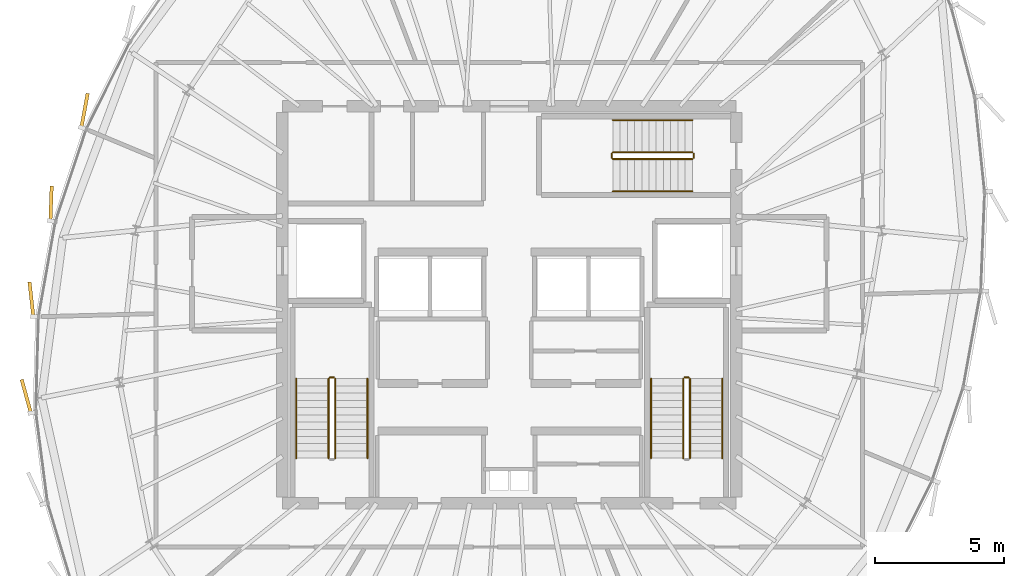
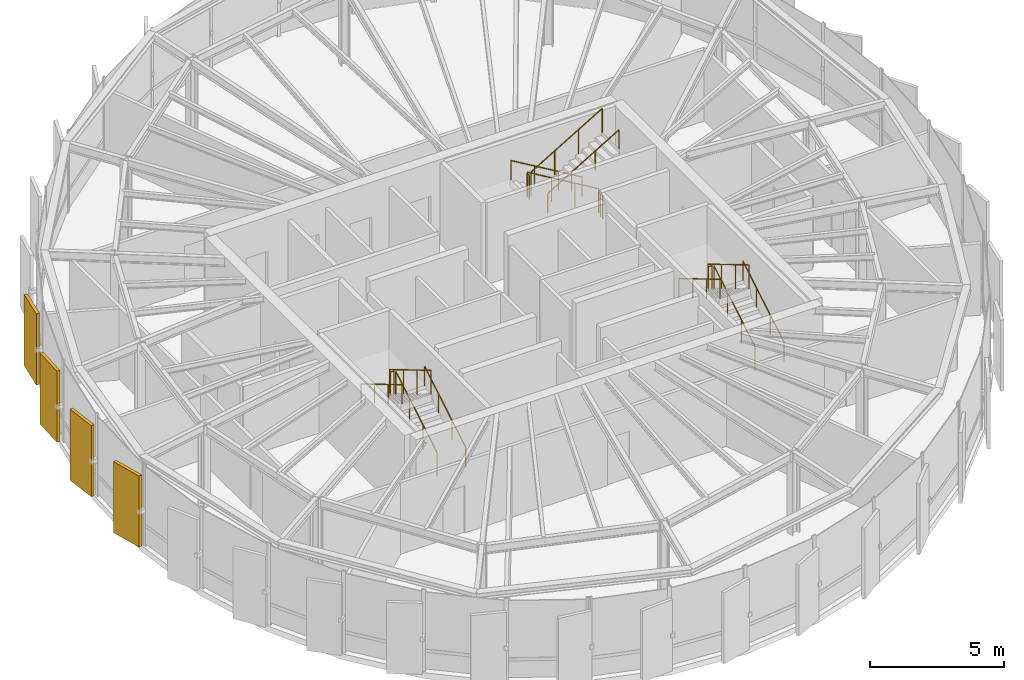
# One storey, part 24 of 25: 16 railings, 4 coverings.
"""IFC4 building model written with IfcOpenShell, lengths in metres."""

from ifc_helpers import new_model, si_unit, direction, frame, origin, origin_2d, place, context, subcontext, project, spatial, rectangle, circle, extrude, source, transform, mapped, material, layer, layer_set, type_object, element, save


model = new_model("IFC4")

# Units and contexts
model_context = context("Model", 3, precision=1e-05, world=origin(), true_north=direction((0.0, 1.0)))
body_context = subcontext(model_context, "Body", "Model", "MODEL_VIEW")
ifc_project = project(units=[si_unit("LENGTHUNIT", "METRE"), si_unit("AREAUNIT", "SQUARE_METRE"), si_unit("VOLUMEUNIT", "CUBIC_METRE"), si_unit("PLANEANGLEUNIT", "RADIAN"), si_unit("MASSUNIT", "GRAM", prefix="KILO"), si_unit("THERMODYNAMICTEMPERATUREUNIT", "KELVIN")], contexts=[model_context])

# Site, building, storey
site_placement = place(None, origin())
site = spatial("IfcSite", under=ifc_project, at=site_placement, CompositionType="ELEMENT")
building_placement = place(site_placement, origin())
building = spatial("IfcBuilding", under=site, at=building_placement, Name="Kethvar Cultural Tower", CompositionType="ELEMENT")
storey_placement = place(building_placement, frame((0.0, 0.0, 304.300048828125)))
storey = spatial("IfcBuildingStorey", under=building, at=storey_placement, Name="L81", CompositionType="ELEMENT", Elevation=304.300048828125)

# Railings
ifc_material_1 = material(Name="Steel S355J2", Category="steel")
railing_type_1 = type_object("IfcRailingType", Name="RL-STAIR-GUARD", PredefinedType="BALUSTRADE", material=ifc_material_1)
railing_1_placement = place(storey_placement, frame((40.050048828125, 21.85009765625, 0.16650390625)))
element("IfcRailing", 1, at=railing_1_placement, inside=storey, type_object=railing_type_1, Name="L81 ST-01 stair guard 1", PredefinedType="BALUSTRADE", context=body_context, shape_type="SweptSolid", body=[
    extrude(circle(Radius=0.02392578125, at=origin_2d()), frame((0.0, 0.0, 1.09619140625), z_axis=(0.0, 0.859260807169, 0.511537745687), x_axis=(-1.0, 0.0, 0.0)), (0.0, 0.0, 1.0), 3.584228515625),
    extrude(circle(Radius=0.02099609375, at=origin_2d()), origin(), (0.0, 0.0, 1.0), 1.072021484375),
    extrude(circle(Radius=0.02099609375, at=origin_2d()), frame((0.0, 1.026611328125, 0.611083984375)), (0.0, 0.0, 1.0), 1.072021484375),
    extrude(circle(Radius=0.02099609375, at=origin_2d()), frame((0.0, 2.05322265625, 1.222412109375)), (0.0, 0.0, 1.0), 1.072021484375),
    extrude(circle(Radius=0.02099609375, at=origin_2d()), frame((0.0, 3.079833984375, 1.83349609375)), (0.0, 0.0, 1.0), 1.072021484375),
])
railing_2_placement = place(storey_placement, frame((40.0, 24.97998046875, 2.0)))
element("IfcRailing", 2, at=railing_2_placement, inside=storey, type_object=railing_type_1, Name="L81 ST-01 stair guard 2", PredefinedType="BALUSTRADE", context=body_context, shape_type="SweptSolid", body=[
    extrude(circle(Radius=0.02392578125, at=origin_2d()), frame((0.0, 0.0, 1.09619140625), z_axis=(-1.0, 0.0, 0.0), x_axis=(0.0, -1.0, 0.0)), (0.0, 0.0, 1.0), 0.159912109375),
    extrude(circle(Radius=0.02099609375, at=origin_2d()), origin(), (0.0, 0.0, 1.0), 1.072021484375),
    extrude(circle(Radius=0.02099609375, at=origin_2d()), frame((-0.159912109375, 0.0, 0.0)), (0.0, 0.0, 1.0), 1.072021484375),
])
railing_3_placement = place(storey_placement, frame((39.7900390625, 24.929931640625, 2.16650390625)))
element("IfcRailing", 3, at=railing_3_placement, inside=storey, type_object=railing_type_1, Name="L81 ST-01 stair guard 3", PredefinedType="BALUSTRADE", context=body_context, shape_type="SweptSolid", body=[
    extrude(circle(Radius=0.02392578125, at=origin_2d()), frame((0.0, 0.0, 1.09619140625), z_axis=(0.0, -0.859260807169, 0.511537745687), x_axis=(1.0, 0.0, 0.0)), (0.0, 0.0, 1.0), 3.584228515625),
    extrude(circle(Radius=0.02099609375, at=origin_2d()), origin(), (0.0, 0.0, 1.0), 1.072021484375),
    extrude(circle(Radius=0.02099609375, at=origin_2d()), frame((0.0, -1.026611328125, 0.611083984375)), (0.0, 0.0, 1.0), 1.072021484375),
    extrude(circle(Radius=0.02099609375, at=origin_2d()), frame((0.0, -2.05322265625, 1.222412109375)), (0.0, 0.0, 1.0), 1.072021484375),
    extrude(circle(Radius=0.02099609375, at=origin_2d()), frame((0.0, -3.079833984375, 1.83349609375)), (0.0, 0.0, 1.0), 1.072021484375),
])
railing_4_placement = place(storey_placement, frame((53.81005859375, 21.85009765625, 0.16650390625)))
element("IfcRailing", 4, at=railing_4_placement, inside=storey, type_object=railing_type_1, Name="L81 ST-02 stair guard 1", PredefinedType="BALUSTRADE", context=body_context, shape_type="SweptSolid", body=[
    extrude(circle(Radius=0.02392578125, at=origin_2d()), frame((0.0, 0.0, 1.09619140625), z_axis=(0.0, 0.859260807169, 0.511537745687), x_axis=(-1.0, 0.0, 0.0)), (0.0, 0.0, 1.0), 3.584228515625),
    extrude(circle(Radius=0.02099609375, at=origin_2d()), origin(), (0.0, 0.0, 1.0), 1.072021484375),
    extrude(circle(Radius=0.02099609375, at=origin_2d()), frame((0.0, 1.026611328125, 0.611083984375)), (0.0, 0.0, 1.0), 1.072021484375),
    extrude(circle(Radius=0.02099609375, at=origin_2d()), frame((0.0, 2.05322265625, 1.222412109375)), (0.0, 0.0, 1.0), 1.072021484375),
    extrude(circle(Radius=0.02099609375, at=origin_2d()), frame((0.0, 3.079833984375, 1.83349609375)), (0.0, 0.0, 1.0), 1.072021484375),
])
railing_5_placement = place(storey_placement, frame((53.760009765625, 24.97998046875, 2.0)))
element("IfcRailing", 5, at=railing_5_placement, inside=storey, type_object=railing_type_1, Name="L81 ST-02 stair guard 2", PredefinedType="BALUSTRADE", context=body_context, shape_type="SweptSolid", body=[
    extrude(circle(Radius=0.02392578125, at=origin_2d()), frame((0.0, 0.0, 1.09619140625), z_axis=(-1.0, 0.0, 0.0), x_axis=(0.0, -1.0, 0.0)), (0.0, 0.0, 1.0), 0.159912109375),
    extrude(circle(Radius=0.02099609375, at=origin_2d()), origin(), (0.0, 0.0, 1.0), 1.072021484375),
    extrude(circle(Radius=0.02099609375, at=origin_2d()), frame((-0.159912109375, 0.0, 0.0)), (0.0, 0.0, 1.0), 1.072021484375),
])
railing_6_placement = place(storey_placement, frame((53.550048828125, 24.929931640625, 2.16650390625)))
element("IfcRailing", 6, at=railing_6_placement, inside=storey, type_object=railing_type_1, Name="L81 ST-02 stair guard 3", PredefinedType="BALUSTRADE", context=body_context, shape_type="SweptSolid", body=[
    extrude(circle(Radius=0.02392578125, at=origin_2d()), frame((0.0, 0.0, 1.09619140625), z_axis=(0.0, -0.859260807169, 0.511537745687), x_axis=(1.0, 0.0, 0.0)), (0.0, 0.0, 1.0), 3.584228515625),
    extrude(circle(Radius=0.02099609375, at=origin_2d()), origin(), (0.0, 0.0, 1.0), 1.072021484375),
    extrude(circle(Radius=0.02099609375, at=origin_2d()), frame((0.0, -1.026611328125, 0.611083984375)), (0.0, 0.0, 1.0), 1.072021484375),
    extrude(circle(Radius=0.02099609375, at=origin_2d()), frame((0.0, -2.05322265625, 1.222412109375)), (0.0, 0.0, 1.0), 1.072021484375),
    extrude(circle(Radius=0.02099609375, at=origin_2d()), frame((0.0, -3.079833984375, 1.83349609375)), (0.0, 0.0, 1.0), 1.072021484375),
])
railing_7_placement = place(storey_placement, frame((53.89990234375, 33.7099609375, 0.16650390625)))
element("IfcRailing", 7, at=railing_7_placement, inside=storey, type_object=railing_type_1, Name="L81 ST-03 stair guard 1", PredefinedType="BALUSTRADE", context=body_context, shape_type="SweptSolid", body=[
    extrude(circle(Radius=0.02392578125, at=origin_2d()), frame((0.0, 0.0, 1.09619140625), z_axis=(-0.859260807169, 0.0, 0.511537745687), x_axis=(0.0, -1.0, 0.0)), (0.0, 0.0, 1.0), 3.584228515625),
    extrude(circle(Radius=0.02099609375, at=origin_2d()), origin(), (0.0, 0.0, 1.0), 1.072021484375),
    extrude(circle(Radius=0.02099609375, at=origin_2d()), frame((-1.026611328125, 0.0, 0.611083984375)), (0.0, 0.0, 1.0), 1.072021484375),
    extrude(circle(Radius=0.02099609375, at=origin_2d()), frame((-2.05322265625, 0.0, 1.222412109375)), (0.0, 0.0, 1.0), 1.072021484375),
    extrude(circle(Radius=0.02099609375, at=origin_2d()), frame((-3.079833984375, 0.0, 1.83349609375)), (0.0, 0.0, 1.0), 1.072021484375),
])
railing_8_placement = place(storey_placement, frame((50.77001953125, 33.659912109375, 2.0)))
element("IfcRailing", 8, at=railing_8_placement, inside=storey, type_object=railing_type_1, Name="L81 ST-03 stair guard 2", PredefinedType="BALUSTRADE", context=body_context, shape_type="SweptSolid", body=[
    extrude(circle(Radius=0.02392578125, at=origin_2d()), frame((0.0, 0.0, 1.09619140625), z_axis=(0.0, -1.0, 0.0), x_axis=(1.0, 0.0, 0.0)), (0.0, 0.0, 1.0), 0.159912109375),
    extrude(circle(Radius=0.02099609375, at=origin_2d()), origin(), (0.0, 0.0, 1.0), 1.072021484375),
    extrude(circle(Radius=0.02099609375, at=origin_2d()), frame((0.0, -0.159912109375, 0.0)), (0.0, 0.0, 1.0), 1.072021484375),
])
railing_9_placement = place(storey_placement, frame((50.820068359375, 33.449951171875, 2.16650390625)))
element("IfcRailing", 9, at=railing_9_placement, inside=storey, type_object=railing_type_1, Name="L81 ST-03 stair guard 3", PredefinedType="BALUSTRADE", context=body_context, shape_type="SweptSolid", body=[
    extrude(circle(Radius=0.02392578125, at=origin_2d()), frame((0.0, 0.0, 1.09619140625), z_axis=(0.859260807169, 0.0, 0.511537745687), x_axis=(0.0, 1.0, 0.0)), (0.0, 0.0, 1.0), 3.584228515625),
    extrude(circle(Radius=0.02099609375, at=origin_2d()), origin(), (0.0, 0.0, 1.0), 1.072021484375),
    extrude(circle(Radius=0.02099609375, at=origin_2d()), frame((1.026611328125, 0.0, 0.611083984375)), (0.0, 0.0, 1.0), 1.072021484375),
    extrude(circle(Radius=0.02099609375, at=origin_2d()), frame((2.05322265625, 0.0, 1.222412109375)), (0.0, 0.0, 1.0), 1.072021484375),
    extrude(circle(Radius=0.02099609375, at=origin_2d()), frame((3.079833984375, 0.0, 1.83349609375)), (0.0, 0.0, 1.0), 1.072021484375),
])
railing_10_placement = place(storey_placement, frame((53.949951171875, 33.659912109375, 0.0)))
element("IfcRailing", 10, at=railing_10_placement, inside=storey, type_object=railing_type_1, Name="L81 ST-03 stair guard 4", PredefinedType="BALUSTRADE", context=body_context, shape_type="SweptSolid", body=[
    extrude(circle(Radius=0.02392578125, at=origin_2d()), frame((0.0, 0.0, 1.09619140625), z_axis=(0.0, -1.0, 0.0), x_axis=(1.0, 0.0, 0.0)), (0.0, 0.0, 1.0), 0.159912109375),
    extrude(circle(Radius=0.02099609375, at=origin_2d()), origin(), (0.0, 0.0, 1.0), 1.072021484375),
    extrude(circle(Radius=0.02099609375, at=origin_2d()), frame((0.0, -0.159912109375, 0.0)), (0.0, 0.0, 1.0), 1.072021484375),
])
railing_type_2 = type_object("IfcRailingType", Name="RL-STAIR-HANDRAIL", PredefinedType="HANDRAIL", material=ifc_material_1)
railing_11_placement = place(storey_placement, frame((41.300048828125, 21.85009765625, 0.16650390625)))
element("IfcRailing", 11, at=railing_11_placement, inside=storey, type_object=railing_type_2, Name="L81 ST-01 stair handrail 1", PredefinedType="HANDRAIL", context=body_context, shape_type="SweptSolid", body=[
    extrude(circle(Radius=0.02392578125, at=origin_2d()), frame((0.0, 0.0, 0.8759765625), z_axis=(0.0, 0.859260807169, 0.511537745687), x_axis=(-1.0, 0.0, 0.0)), (0.0, 0.0, 1.0), 3.584228515625),
    extrude(circle(Radius=0.02099609375, at=origin_2d()), origin(), (0.0, 0.0, 1.0), 0.851806640625),
    extrude(circle(Radius=0.02099609375, at=origin_2d()), frame((0.0, 1.026611328125, 0.611083984375)), (0.0, 0.0, 1.0), 0.851806640625),
    extrude(circle(Radius=0.02099609375, at=origin_2d()), frame((0.0, 2.05322265625, 1.222412109375)), (0.0, 0.0, 1.0), 0.851806640625),
    extrude(circle(Radius=0.02099609375, at=origin_2d()), frame((0.0, 3.079833984375, 1.83349609375)), (0.0, 0.0, 1.0), 0.851806640625),
])
railing_12_placement = place(storey_placement, frame((38.5400390625, 24.929931640625, 2.16650390625)))
element("IfcRailing", 12, at=railing_12_placement, inside=storey, type_object=railing_type_2, Name="L81 ST-01 stair handrail 2", PredefinedType="HANDRAIL", context=body_context, shape_type="SweptSolid", body=[
    extrude(circle(Radius=0.02392578125, at=origin_2d()), frame((0.0, 0.0, 0.8759765625), z_axis=(0.0, -0.859260807169, 0.511537745687), x_axis=(1.0, 0.0, 0.0)), (0.0, 0.0, 1.0), 3.584228515625),
    extrude(circle(Radius=0.02099609375, at=origin_2d()), origin(), (0.0, 0.0, 1.0), 0.851806640625),
    extrude(circle(Radius=0.02099609375, at=origin_2d()), frame((0.0, -1.026611328125, 0.611083984375)), (0.0, 0.0, 1.0), 0.851806640625),
    extrude(circle(Radius=0.02099609375, at=origin_2d()), frame((0.0, -2.05322265625, 1.222412109375)), (0.0, 0.0, 1.0), 0.851806640625),
    extrude(circle(Radius=0.02099609375, at=origin_2d()), frame((0.0, -3.079833984375, 1.83349609375)), (0.0, 0.0, 1.0), 0.851806640625),
])
railing_13_placement = place(storey_placement, frame((55.06005859375, 21.85009765625, 0.16650390625)))
element("IfcRailing", 13, at=railing_13_placement, inside=storey, type_object=railing_type_2, Name="L81 ST-02 stair handrail 1", PredefinedType="HANDRAIL", context=body_context, shape_type="SweptSolid", body=[
    extrude(circle(Radius=0.02392578125, at=origin_2d()), frame((0.0, 0.0, 0.8759765625), z_axis=(0.0, 0.859260807169, 0.511537745687), x_axis=(-1.0, 0.0, 0.0)), (0.0, 0.0, 1.0), 3.584228515625),
    extrude(circle(Radius=0.02099609375, at=origin_2d()), origin(), (0.0, 0.0, 1.0), 0.851806640625),
    extrude(circle(Radius=0.02099609375, at=origin_2d()), frame((0.0, 1.026611328125, 0.611083984375)), (0.0, 0.0, 1.0), 0.851806640625),
    extrude(circle(Radius=0.02099609375, at=origin_2d()), frame((0.0, 2.05322265625, 1.222412109375)), (0.0, 0.0, 1.0), 0.851806640625),
    extrude(circle(Radius=0.02099609375, at=origin_2d()), frame((0.0, 3.079833984375, 1.83349609375)), (0.0, 0.0, 1.0), 0.851806640625),
])
railing_14_placement = place(storey_placement, frame((52.300048828125, 24.929931640625, 2.16650390625)))
element("IfcRailing", 14, at=railing_14_placement, inside=storey, type_object=railing_type_2, Name="L81 ST-02 stair handrail 2", PredefinedType="HANDRAIL", context=body_context, shape_type="SweptSolid", body=[
    extrude(circle(Radius=0.02392578125, at=origin_2d()), frame((0.0, 0.0, 0.8759765625), z_axis=(0.0, -0.859260807169, 0.511537745687), x_axis=(1.0, 0.0, 0.0)), (0.0, 0.0, 1.0), 3.584228515625),
    extrude(circle(Radius=0.02099609375, at=origin_2d()), origin(), (0.0, 0.0, 1.0), 0.851806640625),
    extrude(circle(Radius=0.02099609375, at=origin_2d()), frame((0.0, -1.026611328125, 0.611083984375)), (0.0, 0.0, 1.0), 0.851806640625),
    extrude(circle(Radius=0.02099609375, at=origin_2d()), frame((0.0, -2.05322265625, 1.222412109375)), (0.0, 0.0, 1.0), 0.851806640625),
    extrude(circle(Radius=0.02099609375, at=origin_2d()), frame((0.0, -3.079833984375, 1.83349609375)), (0.0, 0.0, 1.0), 0.851806640625),
])
railing_15_placement = place(storey_placement, frame((53.89990234375, 34.9599609375, 0.16650390625)))
element("IfcRailing", 15, at=railing_15_placement, inside=storey, type_object=railing_type_2, Name="L81 ST-03 stair handrail 1", PredefinedType="HANDRAIL", context=body_context, shape_type="SweptSolid", body=[
    extrude(circle(Radius=0.02392578125, at=origin_2d()), frame((0.0, 0.0, 0.8759765625), z_axis=(-0.859260807169, 0.0, 0.511537745687), x_axis=(0.0, -1.0, 0.0)), (0.0, 0.0, 1.0), 3.584228515625),
    extrude(circle(Radius=0.02099609375, at=origin_2d()), origin(), (0.0, 0.0, 1.0), 0.851806640625),
    extrude(circle(Radius=0.02099609375, at=origin_2d()), frame((-1.026611328125, 0.0, 0.611083984375)), (0.0, 0.0, 1.0), 0.851806640625),
    extrude(circle(Radius=0.02099609375, at=origin_2d()), frame((-2.05322265625, 0.0, 1.222412109375)), (0.0, 0.0, 1.0), 0.851806640625),
    extrude(circle(Radius=0.02099609375, at=origin_2d()), frame((-3.079833984375, 0.0, 1.83349609375)), (0.0, 0.0, 1.0), 0.851806640625),
])
railing_16_placement = place(storey_placement, frame((50.820068359375, 32.199951171875, 2.16650390625)))
element("IfcRailing", 16, at=railing_16_placement, inside=storey, type_object=railing_type_2, Name="L81 ST-03 stair handrail 2", PredefinedType="HANDRAIL", context=body_context, shape_type="SweptSolid", body=[
    extrude(circle(Radius=0.02392578125, at=origin_2d()), frame((0.0, 0.0, 0.8759765625), z_axis=(0.859260807169, 0.0, 0.511537745687), x_axis=(0.0, 1.0, 0.0)), (0.0, 0.0, 1.0), 3.584228515625),
    extrude(circle(Radius=0.02099609375, at=origin_2d()), origin(), (0.0, 0.0, 1.0), 0.851806640625),
    extrude(circle(Radius=0.02099609375, at=origin_2d()), frame((1.026611328125, 0.0, 0.611083984375)), (0.0, 0.0, 1.0), 0.851806640625),
    extrude(circle(Radius=0.02099609375, at=origin_2d()), frame((2.05322265625, 0.0, 1.222412109375)), (0.0, 0.0, 1.0), 0.851806640625),
    extrude(circle(Radius=0.02099609375, at=origin_2d()), frame((3.079833984375, 0.0, 1.83349609375)), (0.0, 0.0, 1.0), 0.851806640625),
])

# Coverings
ifc_material_2 = material(Name="Extruded Architectural Terracotta", Category="masonry")
ifc_layer = layer(ifc_material_2, 0.135009765625, Name="Extruded Architectural Terracotta", Category="masonry")
ifc_layer_set = layer_set([ifc_layer], Name="Extruded Architectural Terracotta (135 mm)")
covering_type = type_object("IfcCoveringType", Name="Terracotta Facade Fin FIN-03", PredefinedType="CLADDING", material=ifc_layer_set)
shared_shape = source(origin(), body_context, "Body", "SweptSolid", [
    extrude(rectangle(XDim=1.35009765625, YDim=0.135009765625, at=origin_2d()), origin(), (0.0, 0.0, 1.0), 3.25),
])
for number, where, z_axis, x_axis, name in (
    (17, (30.325439453125, 35.332275390625, 0.02001953125), (0.0, 0.0, 1.0), (0.180347476896, 0.983602962367, 0.0), "L81 Vertical Terracotta Fin 2.4"),
    (18, (29.027099609375, 31.728271484375, 0.02001953125), (0.0, 0.0, 1.0), (0.036818123855, 0.999321983024, 0.0), "L81 Vertical Terracotta Fin 2.5"),
    (19, (28.265625, 28.0107421875, 0.02001953125), (0.0, 0.0, 1.0), (-0.111815815852, 0.99372894862, 0.0), "L81 Vertical Terracotta Fin 2.6"),
    (20, (28.066650390625, 24.248779296875, 0.02001953125), (0.0, 0.0, 1.0), (-0.264882987263, 0.964280562419, 0.0), "L81 Vertical Terracotta Fin 3.1"),
):
    element("IfcCovering", number, at=place(storey_placement, frame(where, z_axis=z_axis, x_axis=x_axis)), inside=storey, type_object=covering_type, Name=name, PredefinedType="CLADDING", context=body_context, shape_type="MappedRepresentation", body=[
        mapped(shared_shape, transform((0.0, 0.0, 0.0), scale=1.0)),
    ])

save(model, "model.ifc")
